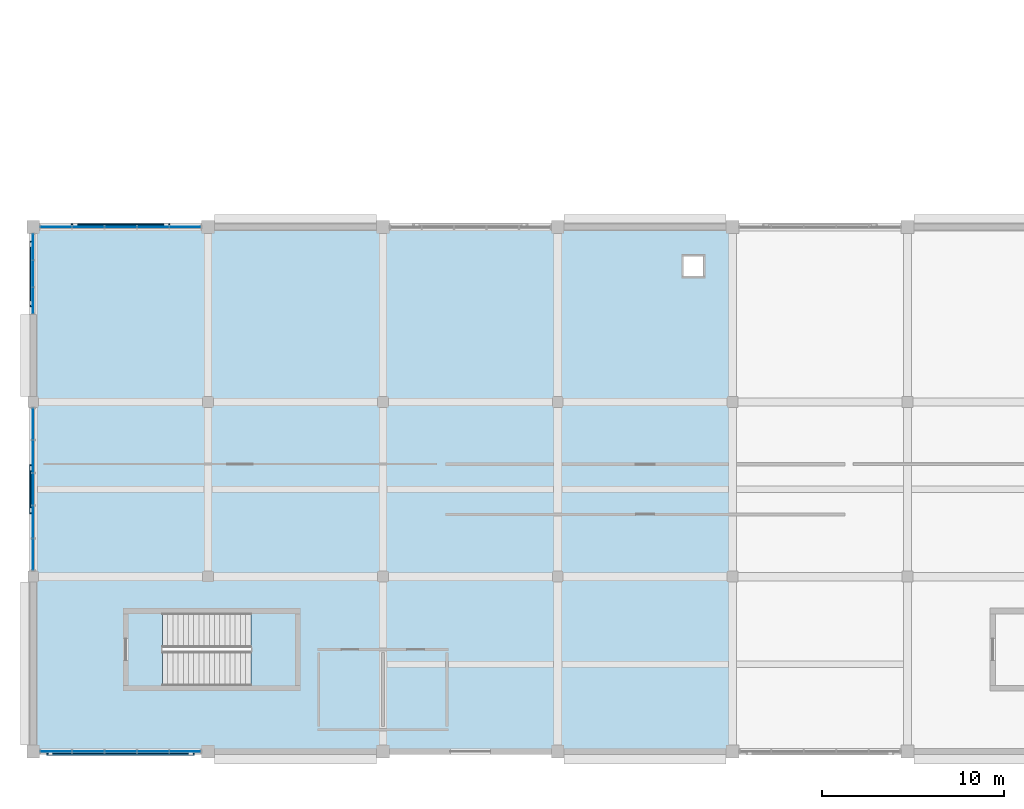
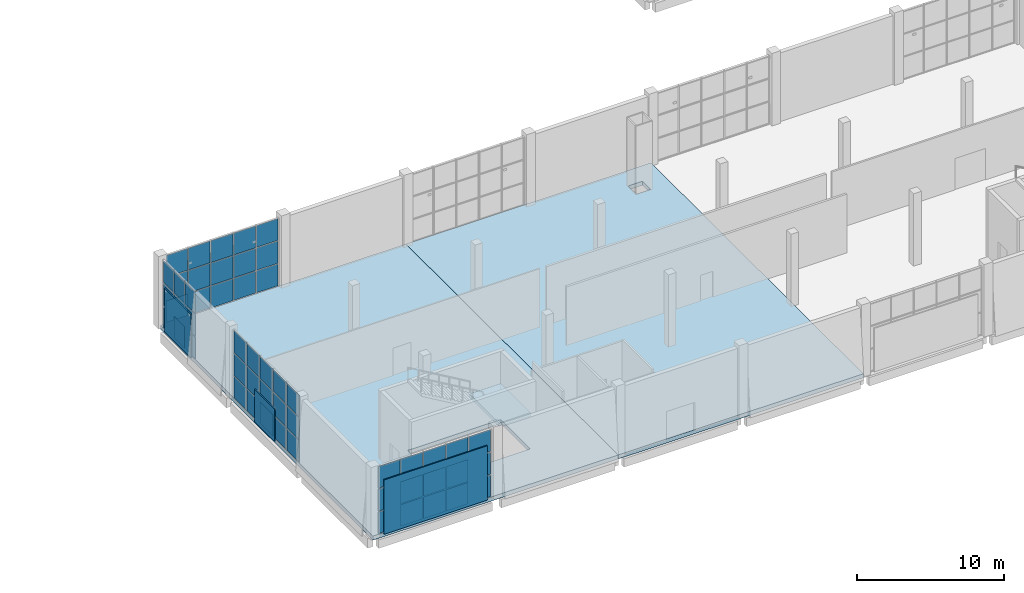
# One storey, part 39 of 84: 58 plates, 3 slabs, 5 elements without a shape of their own.
"""IFC4 building model written with IfcOpenShell, lengths in metres."""

import ifcopenshell
import ifcopenshell.guid

model = None  # the IFC model being written
_history = None  # IfcOwnerHistory: only IFC2X3 demands one
_inside = {}  # id of a spatial element -> (the spatial element, [elements in it])
_under = {}  # id of a project, library or spatial element -> (it, [spatial elements below it])
_declared = {}  # id of a project -> (the project, [libraries it declares])
_typed = {}  # id of a type object -> (the type object, [elements of that type])
_made_of = {}  # id of a material, layer set ... -> (it, [elements and type objects made of it])


def new_model(schema):
    """Start an empty IFC model of exactly this schema.

    Asked for "IFC4X3", IfcOpenShell would pick the latest addendum, in which some entities
    have other attributes; the version numbers below select the first issue.
    IFC2X3 requires an IfcOwnerHistory on every rooted entity: one is made here for all.
    """
    global model, _history
    if schema == "IFC4X3":
        model = ifcopenshell.file(schema_version=(4, 3, 0, 0))
    else:
        model = ifcopenshell.file(schema=schema)
    _inside.clear()
    _under.clear()
    _declared.clear()
    _typed.clear()
    _made_of.clear()
    _history = None
    if model.schema == "IFC2X3":
        org = make("IfcOrganization", Name="unknown")
        user = make(
            "IfcPersonAndOrganization",
            ThePerson=make("IfcPerson", FamilyName="unknown"),
            TheOrganization=org,
        )
        app = make(
            "IfcApplication",
            ApplicationDeveloper=org,
            Version="unknown",
            ApplicationFullName="unknown",
            ApplicationIdentifier="unknown",
        )
        _history = make(
            "IfcOwnerHistory",
            OwningUser=user,
            OwningApplication=app,
            ChangeAction="ADDED",
            CreationDate=0,
        )
    return model


def make(cls, **values):
    """One entity of the class cls with the attributes given. An attribute that is None is left unset."""
    return model.create_entity(
        cls, **{name: value for name, value in values.items() if value is not None}
    )


def rooted(cls, **values):
    """An entity with a GlobalId (a new one), such as an element, a storey or a relation."""
    return make(cls, GlobalId=ifcopenshell.guid.new(), OwnerHistory=_history, **values)


def si_unit(unit_type, name, prefix=None):
    """IfcSIUnit, for example si_unit("LENGTHUNIT", "METRE", prefix="MILLI")."""
    return make("IfcSIUnit", UnitType=unit_type, Prefix=prefix, Name=name)


def assignment(units):
    """IfcUnitAssignment: the units of a project."""
    return None if units is None else make("IfcUnitAssignment", Units=units)


def point(xyz):
    """IfcCartesianPoint."""
    return None if xyz is None else make("IfcCartesianPoint", Coordinates=xyz)


def direction(xyz):
    """IfcDirection."""
    return None if xyz is None else make("IfcDirection", DirectionRatios=xyz)


def frame(location, z_axis=None, x_axis=None):
    """IfcAxis2Placement3D, a coordinate frame: its origin and axes. An axis left out is left unset."""
    return make(
        "IfcAxis2Placement3D",
        Location=point(location),
        Axis=direction(z_axis),
        RefDirection=direction(x_axis),
    )


def frame_2d(location, x_axis=None):
    """IfcAxis2Placement2D, a coordinate frame in the plane: its origin and x axis."""
    return make(
        "IfcAxis2Placement2D", Location=point(location), RefDirection=direction(x_axis)
    )


def origin():
    """The frame at (0, 0, 0) with its axes left unset."""
    return frame((0.0, 0.0, 0.0))


def origin_2d():
    """The frame at (0, 0) in the plane with its x axis left unset."""
    return frame_2d((0.0, 0.0))


def place(relative_to, where):
    """IfcLocalPlacement: puts the frame where relative to a parent placement (None: the world)."""
    return make(
        "IfcLocalPlacement", PlacementRelTo=relative_to, RelativePlacement=where
    )


def context(
    kind, dimensions, precision=None, world=None, true_north=None, identifier=None
):
    """IfcGeometricRepresentationContext, for example the 3D "Model" context."""
    return make(
        "IfcGeometricRepresentationContext",
        ContextIdentifier=identifier,
        ContextType=kind,
        CoordinateSpaceDimension=dimensions,
        Precision=precision,
        WorldCoordinateSystem=world,
        TrueNorth=true_north,
    )


def subcontext(parent, identifier, kind, view, scale=None):
    """IfcGeometricRepresentationSubContext, for example "Body" below "Model"."""
    return make(
        "IfcGeometricRepresentationSubContext",
        ContextIdentifier=identifier,
        ContextType=kind,
        ParentContext=parent,
        TargetScale=scale,
        TargetView=view,
    )


def project(units=None, contexts=None):
    """IfcProject with its units and contexts."""
    return rooted(
        "IfcProject",
        Name="project",
        RepresentationContexts=contexts,
        UnitsInContext=assignment(units),
    )


def spatial(cls, under=None, at=None, **own):
    """A site, building, storey or space (cls), placed at a placement, below another one or the project."""
    s = rooted(cls, ObjectPlacement=at, **own)
    if under is not None:
        _under.setdefault(under.id(), (under, []))[1].append(s)
    return s


def polyline(points):
    """IfcPolyline through the points."""
    return make("IfcPolyline", Points=[point(p) for p in points])


def profile(cls, at=None, kind="AREA", **sizes):
    """A parametric profile (cls). Its sizes go by their IFC names, for example OverallWidth=200.0."""
    return make(cls, ProfileType=kind, Position=at, **sizes)


def rectangle(**sizes):
    """IfcRectangleProfileDef."""
    return profile("IfcRectangleProfileDef", **sizes)


def outline(outer, holes=None, kind="AREA"):
    """IfcArbitraryClosedProfileDef: a profile drawn as a closed curve; with holes, ...WithVoids."""
    if holes is None:
        return make("IfcArbitraryClosedProfileDef", ProfileType=kind, OuterCurve=outer)
    return make(
        "IfcArbitraryProfileDefWithVoids",
        ProfileType=kind,
        OuterCurve=outer,
        InnerCurves=holes,
    )


def extrude(swept, where, along, depth):
    """IfcExtrudedAreaSolid: the profile swept, set in the frame where, extruded along a direction by depth."""
    return make(
        "IfcExtrudedAreaSolid",
        SweptArea=swept,
        Position=where,
        ExtrudedDirection=direction(along),
        Depth=depth,
    )


def shape(context_of_items, identifier, shape_type, items):
    """IfcShapeRepresentation: the items that make up one representation, for example the "Body"."""
    return make(
        "IfcShapeRepresentation",
        ContextOfItems=context_of_items,
        RepresentationIdentifier=identifier,
        RepresentationType=shape_type,
        Items=items,
    )


def material(Name=None, Category=None):
    """IfcMaterial."""
    return make("IfcMaterial", Name=Name, Category=Category)


def layer(
    of_material, thickness, ventilated=None, Name=None, Category=None, Priority=None
):
    """IfcMaterialLayer: one layer of a wall or slab, of a material (None: an air gap)."""
    return make(
        "IfcMaterialLayer",
        Material=of_material,
        LayerThickness=thickness,
        IsVentilated=ventilated,
        Name=Name,
        Category=Category,
        Priority=Priority,
    )


def layer_set(layers, Name=None):
    """IfcMaterialLayerSet."""
    return make("IfcMaterialLayerSet", MaterialLayers=layers, LayerSetName=Name)


def made_of(thing, what):
    """Note that an element or type object is made of a material, layer set ...; save() writes the relation."""
    if what is not None:
        _made_of.setdefault(what.id(), (what, []))[1].append(thing)
    return thing


def type_object(cls, material=None, **own):
    """A type object (cls), such as IfcWallType, which elements share."""
    return made_of(rooted(cls, **own), material)


def element(
    cls,
    number,
    at=None,
    inside=None,
    cuts=None,
    type_object=None,
    material=None,
    context=None,
    identifier="Body",
    shape_type=None,
    held_by="IfcProductDefinitionShape",
    body=None,
    shapes=None,
    **own,
):
    """One element of the class cls, such as IfcWall. Its Tag is "e" and its number.

    at: its placement. inside: the storey or other place that contains it. cuts: it is an
    opening in that element (IfcRelVoidsElement). A single representation is given by context,
    identifier, shape_type and body (its items); several are given by shapes. held_by: the class
    of the entity that holds the representations. save() writes the other relations.
    """
    e = rooted(cls, Tag="e%d" % number, ObjectPlacement=at, **own)
    if body is not None:
        shapes = [shape(context, identifier, shape_type, body)]
    if shapes is not None:
        e.Representation = make(held_by, Representations=shapes)
    if inside is not None:
        _inside.setdefault(inside.id(), (inside, []))[1].append(e)
    if cuts is not None:
        rooted(
            "IfcRelVoidsElement", RelatingBuildingElement=cuts, RelatedOpeningElement=e
        )
    if type_object is not None:
        _typed.setdefault(type_object.id(), (type_object, []))[1].append(e)
    return made_of(e, material)


def aggregate(whole, parts):
    """IfcRelAggregates: a whole, such as a stair, and the parts it consists of."""
    return rooted("IfcRelAggregates", RelatingObject=whole, RelatedObjects=parts)


def save(model, path):
    """Write the relations noted so far, then the file.

    IfcRelAggregates (storeys below a building ...), IfcRelContainedInSpatialStructure (elements
    in a storey), IfcRelDefinesByType, IfcRelAssociatesMaterial and IfcRelDeclares: one each for
    every whole, place, type object, material and project.
    """
    for whole, parts in _under.values():
        aggregate(whole, parts)
    for where, things in _inside.values():
        rooted(
            "IfcRelContainedInSpatialStructure",
            RelatedElements=things,
            RelatingStructure=where,
        )
    for kind, things in _typed.values():
        rooted("IfcRelDefinesByType", RelatedObjects=things, RelatingType=kind)
    for what, things in _made_of.values():
        rooted("IfcRelAssociatesMaterial", RelatedObjects=things, RelatingMaterial=what)
    for by, libraries in _declared.values():
        rooted("IfcRelDeclares", RelatingContext=by, RelatedDefinitions=libraries)
    model.write(path)


model = new_model("IFC4")

# Units and contexts
model_context = context("Model", 3, precision=1e-05, world=origin(), true_north=direction((0.0, 1.0)))
body_context = subcontext(model_context, "Body", "Model", "MODEL_VIEW")
ifc_project = project(units=[si_unit("LENGTHUNIT", "METRE"), si_unit("AREAUNIT", "SQUARE_METRE"), si_unit("VOLUMEUNIT", "CUBIC_METRE"), si_unit("PLANEANGLEUNIT", "RADIAN"), si_unit("MASSUNIT", "GRAM", prefix="KILO")], contexts=[model_context])

# Site, building, storey
site_placement = place(None, origin())
site = spatial("IfcSite", under=ifc_project, at=site_placement, CompositionType="ELEMENT")
building_placement = place(site_placement, origin())
building = spatial("IfcBuilding", under=site, at=building_placement, Name="Shalvenor Court Art Gallery", CompositionType="ELEMENT")
storey_placement = place(building_placement, origin())
storey = spatial("IfcBuildingStorey", under=building, at=storey_placement, Name="L00", CompositionType="ELEMENT", Elevation=0.0)

# Curtain wall, plates
ifc_material_1 = material(Name="Anodised aluminium and low-iron glass curtain wall", Category="aluminium")
curtain_wall_type_1 = type_object("IfcCurtainWallType", Name="CW-5x3-89-57-211", PredefinedType="USERDEFINED", material=ifc_material_1)
curtain_wall_1_placement = place(storey_placement, origin())
curtain_wall_1 = element("IfcCurtainWall", 1, at=curtain_wall_1_placement, inside=storey, type_object=curtain_wall_type_1, Name="L00 V4 Curtain Wall CW-L00-117", ObjectType="CURTAIN WALL", PredefinedType="USERDEFINED")
ifc_material_2 = material(Name="Low-iron UV-laminated double glazing IGU", Category="glass")
ifc_layer_1 = layer(ifc_material_2, 0.028076171875, Name="Low-iron UV-laminated double glazing IGU")
ifc_layer_set_1 = layer_set([ifc_layer_1], Name="Low-iron UV-laminated double glazing IGU")
plate_type_1 = type_object("IfcPlateType", Name="CWP-01", PredefinedType="CURTAIN_PANEL", material=ifc_layer_set_1)
plate_1_placement = place(storey_placement, frame((1.257568359375, 28.800048828125, 0.06005859375), z_axis=(0.0, 0.0, 1.0), x_axis=(1.0, 0.0, 0.0)))
plate_1 = element("IfcPlate", 2, at=plate_1_placement, type_object=plate_type_1, Name="CW-5x3-89-57-211 panel 1.1", PredefinedType="CURTAIN_PANEL", context=body_context, shape_type="SweptSolid", body=[
    extrude(rectangle(XDim=1.675048828125, YDim=0.028076171875, at=origin_2d()), origin(), (0.0, 0.0, 1.0), 1.80322265625),
])
plate_2_placement = place(storey_placement, frame((1.257568359375, 28.800048828125, 1.92333984375), z_axis=(0.0, 0.0, 1.0), x_axis=(1.0, 0.0, 0.0)))
plate_2 = element("IfcPlate", 3, at=plate_2_placement, type_object=plate_type_1, Name="CW-5x3-89-57-211 panel 1.2", PredefinedType="CURTAIN_PANEL", context=body_context, shape_type="SweptSolid", body=[
    extrude(rectangle(XDim=1.675048828125, YDim=0.028076171875, at=origin_2d()), origin(), (0.0, 0.0, 1.0), 1.833251953125),
])
plate_3_placement = place(storey_placement, frame((1.257568359375, 28.800048828125, 3.816650390625), z_axis=(0.0, 0.0, 1.0), x_axis=(1.0, 0.0, 0.0)))
plate_3 = element("IfcPlate", 4, at=plate_3_placement, type_object=plate_type_1, Name="CW-5x3-89-57-211 panel 1.3", PredefinedType="CURTAIN_PANEL", context=body_context, shape_type="SweptSolid", body=[
    extrude(rectangle(XDim=1.675048828125, YDim=0.028076171875, at=origin_2d()), origin(), (0.0, 0.0, 1.0), 1.80322265625),
])
plate_4_placement = place(storey_placement, frame((3.02001953125, 28.800048828125, 0.06005859375), z_axis=(0.0, 0.0, 1.0), x_axis=(1.0, 0.0, 0.0)))
plate_4 = element("IfcPlate", 5, at=plate_4_placement, type_object=plate_type_1, Name="CW-5x3-89-57-211 panel 2.1", PredefinedType="CURTAIN_PANEL", context=body_context, shape_type="SweptSolid", body=[
    extrude(rectangle(XDim=1.7099609375, YDim=0.028076171875, at=origin_2d()), origin(), (0.0, 0.0, 1.0), 1.80322265625),
])
plate_5_placement = place(storey_placement, frame((3.02001953125, 28.800048828125, 1.92333984375), z_axis=(0.0, 0.0, 1.0), x_axis=(1.0, 0.0, 0.0)))
plate_5 = element("IfcPlate", 6, at=plate_5_placement, type_object=plate_type_1, Name="CW-5x3-89-57-211 panel 2.2", PredefinedType="CURTAIN_PANEL", context=body_context, shape_type="SweptSolid", body=[
    extrude(rectangle(XDim=1.7099609375, YDim=0.028076171875, at=origin_2d()), origin(), (0.0, 0.0, 1.0), 1.833251953125),
])
plate_6_placement = place(storey_placement, frame((3.02001953125, 28.800048828125, 3.816650390625), z_axis=(0.0, 0.0, 1.0), x_axis=(1.0, 0.0, 0.0)))
plate_6 = element("IfcPlate", 7, at=plate_6_placement, type_object=plate_type_1, Name="CW-5x3-89-57-211 panel 2.3", PredefinedType="CURTAIN_PANEL", context=body_context, shape_type="SweptSolid", body=[
    extrude(rectangle(XDim=1.7099609375, YDim=0.028076171875, at=origin_2d()), origin(), (0.0, 0.0, 1.0), 1.80322265625),
])
plate_7_placement = place(storey_placement, frame((4.800048828125, 28.800048828125, 0.06005859375), z_axis=(0.0, 0.0, 1.0), x_axis=(1.0, 0.0, 0.0)))
plate_7 = element("IfcPlate", 8, at=plate_7_placement, type_object=plate_type_1, Name="CW-5x3-89-57-211 panel 3.1", PredefinedType="CURTAIN_PANEL", context=body_context, shape_type="SweptSolid", body=[
    extrude(rectangle(XDim=1.7099609375, YDim=0.028076171875, at=origin_2d()), origin(), (0.0, 0.0, 1.0), 1.80322265625),
])
plate_8_placement = place(storey_placement, frame((4.800048828125, 28.800048828125, 1.92333984375), z_axis=(0.0, 0.0, 1.0), x_axis=(1.0, 0.0, 0.0)))
plate_8 = element("IfcPlate", 9, at=plate_8_placement, type_object=plate_type_1, Name="CW-5x3-89-57-211 panel 3.2", PredefinedType="CURTAIN_PANEL", context=body_context, shape_type="SweptSolid", body=[
    extrude(rectangle(XDim=1.7099609375, YDim=0.028076171875, at=origin_2d()), origin(), (0.0, 0.0, 1.0), 1.833251953125),
])
plate_9_placement = place(storey_placement, frame((4.800048828125, 28.800048828125, 3.816650390625), z_axis=(0.0, 0.0, 1.0), x_axis=(1.0, 0.0, 0.0)))
plate_9 = element("IfcPlate", 10, at=plate_9_placement, type_object=plate_type_1, Name="CW-5x3-89-57-211 panel 3.3", PredefinedType="CURTAIN_PANEL", context=body_context, shape_type="SweptSolid", body=[
    extrude(rectangle(XDim=1.7099609375, YDim=0.028076171875, at=origin_2d()), origin(), (0.0, 0.0, 1.0), 1.80322265625),
])
plate_10_placement = place(storey_placement, frame((6.580078125, 28.800048828125, 0.06005859375), z_axis=(0.0, 0.0, 1.0), x_axis=(1.0, 0.0, 0.0)))
plate_10 = element("IfcPlate", 11, at=plate_10_placement, type_object=plate_type_1, Name="CW-5x3-89-57-211 panel 4.1", PredefinedType="CURTAIN_PANEL", context=body_context, shape_type="SweptSolid", body=[
    extrude(rectangle(XDim=1.7099609375, YDim=0.028076171875, at=origin_2d()), origin(), (0.0, 0.0, 1.0), 1.80322265625),
])
plate_11_placement = place(storey_placement, frame((6.580078125, 28.800048828125, 1.92333984375), z_axis=(0.0, 0.0, 1.0), x_axis=(1.0, 0.0, 0.0)))
plate_11 = element("IfcPlate", 12, at=plate_11_placement, type_object=plate_type_1, Name="CW-5x3-89-57-211 panel 4.2", PredefinedType="CURTAIN_PANEL", context=body_context, shape_type="SweptSolid", body=[
    extrude(rectangle(XDim=1.7099609375, YDim=0.028076171875, at=origin_2d()), origin(), (0.0, 0.0, 1.0), 1.833251953125),
])
plate_12_placement = place(storey_placement, frame((6.580078125, 28.800048828125, 3.816650390625), z_axis=(0.0, 0.0, 1.0), x_axis=(1.0, 0.0, 0.0)))
plate_12 = element("IfcPlate", 13, at=plate_12_placement, type_object=plate_type_1, Name="CW-5x3-89-57-211 panel 4.3", PredefinedType="CURTAIN_PANEL", context=body_context, shape_type="SweptSolid", body=[
    extrude(rectangle(XDim=1.7099609375, YDim=0.028076171875, at=origin_2d()), origin(), (0.0, 0.0, 1.0), 1.80322265625),
])
plate_13_placement = place(storey_placement, frame((8.342529296875, 28.800048828125, 0.06005859375), z_axis=(0.0, 0.0, 1.0), x_axis=(1.0, 0.0, 0.0)))
plate_13 = element("IfcPlate", 14, at=plate_13_placement, type_object=plate_type_1, Name="CW-5x3-89-57-211 panel 5.1", PredefinedType="CURTAIN_PANEL", context=body_context, shape_type="SweptSolid", body=[
    extrude(rectangle(XDim=1.675048828125, YDim=0.028076171875, at=origin_2d()), origin(), (0.0, 0.0, 1.0), 1.80322265625),
])
plate_14_placement = place(storey_placement, frame((8.342529296875, 28.800048828125, 1.92333984375), z_axis=(0.0, 0.0, 1.0), x_axis=(1.0, 0.0, 0.0)))
plate_14 = element("IfcPlate", 15, at=plate_14_placement, type_object=plate_type_1, Name="CW-5x3-89-57-211 panel 5.2", PredefinedType="CURTAIN_PANEL", context=body_context, shape_type="SweptSolid", body=[
    extrude(rectangle(XDim=1.675048828125, YDim=0.028076171875, at=origin_2d()), origin(), (0.0, 0.0, 1.0), 1.833251953125),
])
plate_15_placement = place(storey_placement, frame((8.342529296875, 28.800048828125, 3.816650390625), z_axis=(0.0, 0.0, 1.0), x_axis=(1.0, 0.0, 0.0)))
plate_15 = element("IfcPlate", 16, at=plate_15_placement, type_object=plate_type_1, Name="CW-5x3-89-57-211 panel 5.3", PredefinedType="CURTAIN_PANEL", context=body_context, shape_type="SweptSolid", body=[
    extrude(rectangle(XDim=1.675048828125, YDim=0.028076171875, at=origin_2d()), origin(), (0.0, 0.0, 1.0), 1.80322265625),
])
aggregate(curtain_wall_1, [plate_1, plate_2, plate_3, plate_4, plate_5, plate_6, plate_7, plate_8, plate_9, plate_10, plate_11, plate_12, plate_13, plate_14, plate_15])

ifc_material_3 = material(Name="Anodised aluminium and low-iron glass curtain wall", Category="aluminium")
curtain_wall_type_2 = type_object("IfcCurtainWallType", Name="CW-5x3-89-57-241", PredefinedType="USERDEFINED", material=ifc_material_3)
curtain_wall_2_placement = place(storey_placement, origin())
curtain_wall_2 = element("IfcCurtainWall", 17, at=curtain_wall_2_placement, inside=storey, type_object=curtain_wall_type_2, Name="L00 V4 Curtain Wall CW-L00-125", ObjectType="CURTAIN WALL", PredefinedType="USERDEFINED")
plate_16_placement = place(storey_placement, frame((8.342529296875, 0.0, 0.06982421875), z_axis=(0.0, 0.0, 1.0), x_axis=(-1.0, 0.0, 0.0)))
plate_16 = element("IfcPlate", 18, at=plate_16_placement, type_object=plate_type_1, Name="CW-5x3-89-57-241 panel 1.1", PredefinedType="CURTAIN_PANEL", context=body_context, shape_type="SweptSolid", body=[
    extrude(rectangle(XDim=1.675048828125, YDim=0.028076171875, at=origin_2d()), origin(), (0.0, 0.0, 1.0), 1.788330078125),
])
plate_17_placement = place(storey_placement, frame((8.342529296875, 0.0, 1.928466796875), z_axis=(0.0, 0.0, 1.0), x_axis=(-1.0, 0.0, 0.0)))
plate_17 = element("IfcPlate", 19, at=plate_17_placement, type_object=plate_type_1, Name="CW-5x3-89-57-241 panel 1.2", PredefinedType="CURTAIN_PANEL", context=body_context, shape_type="SweptSolid", body=[
    extrude(rectangle(XDim=1.675048828125, YDim=0.028076171875, at=origin_2d()), origin(), (0.0, 0.0, 1.0), 1.8232421875),
])
plate_18_placement = place(storey_placement, frame((8.342529296875, 0.0, 3.82177734375), z_axis=(0.0, 0.0, 1.0), x_axis=(-1.0, 0.0, 0.0)))
plate_18 = element("IfcPlate", 20, at=plate_18_placement, type_object=plate_type_1, Name="CW-5x3-89-57-241 panel 1.3", PredefinedType="CURTAIN_PANEL", context=body_context, shape_type="SweptSolid", body=[
    extrude(rectangle(XDim=1.675048828125, YDim=0.028076171875, at=origin_2d()), origin(), (0.0, 0.0, 1.0), 1.788330078125),
])
plate_19_placement = place(storey_placement, frame((6.580078125, 0.0, 0.06982421875), z_axis=(0.0, 0.0, 1.0), x_axis=(-1.0, 0.0, 0.0)))
plate_19 = element("IfcPlate", 21, at=plate_19_placement, type_object=plate_type_1, Name="CW-5x3-89-57-241 panel 2.1", PredefinedType="CURTAIN_PANEL", context=body_context, shape_type="SweptSolid", body=[
    extrude(rectangle(XDim=1.7099609375, YDim=0.028076171875, at=origin_2d()), origin(), (0.0, 0.0, 1.0), 1.788330078125),
])
plate_20_placement = place(storey_placement, frame((6.580078125, 0.0, 1.928466796875), z_axis=(0.0, 0.0, 1.0), x_axis=(-1.0, 0.0, 0.0)))
plate_20 = element("IfcPlate", 22, at=plate_20_placement, type_object=plate_type_1, Name="CW-5x3-89-57-241 panel 2.2", PredefinedType="CURTAIN_PANEL", context=body_context, shape_type="SweptSolid", body=[
    extrude(rectangle(XDim=1.7099609375, YDim=0.028076171875, at=origin_2d()), origin(), (0.0, 0.0, 1.0), 1.8232421875),
])
plate_21_placement = place(storey_placement, frame((6.580078125, 0.0, 3.82177734375), z_axis=(0.0, 0.0, 1.0), x_axis=(-1.0, 0.0, 0.0)))
plate_21 = element("IfcPlate", 23, at=plate_21_placement, type_object=plate_type_1, Name="CW-5x3-89-57-241 panel 2.3", PredefinedType="CURTAIN_PANEL", context=body_context, shape_type="SweptSolid", body=[
    extrude(rectangle(XDim=1.7099609375, YDim=0.028076171875, at=origin_2d()), origin(), (0.0, 0.0, 1.0), 1.788330078125),
])
plate_22_placement = place(storey_placement, frame((4.800048828125, 0.0, 0.06982421875), z_axis=(0.0, 0.0, 1.0), x_axis=(-1.0, 0.0, 0.0)))
plate_22 = element("IfcPlate", 24, at=plate_22_placement, type_object=plate_type_1, Name="CW-5x3-89-57-241 panel 3.1", PredefinedType="CURTAIN_PANEL", context=body_context, shape_type="SweptSolid", body=[
    extrude(rectangle(XDim=1.7099609375, YDim=0.028076171875, at=origin_2d()), origin(), (0.0, 0.0, 1.0), 1.788330078125),
])
plate_23_placement = place(storey_placement, frame((4.800048828125, 0.0, 1.928466796875), z_axis=(0.0, 0.0, 1.0), x_axis=(-1.0, 0.0, 0.0)))
plate_23 = element("IfcPlate", 25, at=plate_23_placement, type_object=plate_type_1, Name="CW-5x3-89-57-241 panel 3.2", PredefinedType="CURTAIN_PANEL", context=body_context, shape_type="SweptSolid", body=[
    extrude(rectangle(XDim=1.7099609375, YDim=0.028076171875, at=origin_2d()), origin(), (0.0, 0.0, 1.0), 1.8232421875),
])
plate_24_placement = place(storey_placement, frame((4.800048828125, 0.0, 3.82177734375), z_axis=(0.0, 0.0, 1.0), x_axis=(-1.0, 0.0, 0.0)))
plate_24 = element("IfcPlate", 26, at=plate_24_placement, type_object=plate_type_1, Name="CW-5x3-89-57-241 panel 3.3", PredefinedType="CURTAIN_PANEL", context=body_context, shape_type="SweptSolid", body=[
    extrude(rectangle(XDim=1.7099609375, YDim=0.028076171875, at=origin_2d()), origin(), (0.0, 0.0, 1.0), 1.788330078125),
])
plate_25_placement = place(storey_placement, frame((3.02001953125, 0.0, 0.06982421875), z_axis=(0.0, 0.0, 1.0), x_axis=(-1.0, 0.0, 0.0)))
plate_25 = element("IfcPlate", 27, at=plate_25_placement, type_object=plate_type_1, Name="CW-5x3-89-57-241 panel 4.1", PredefinedType="CURTAIN_PANEL", context=body_context, shape_type="SweptSolid", body=[
    extrude(rectangle(XDim=1.7099609375, YDim=0.028076171875, at=origin_2d()), origin(), (0.0, 0.0, 1.0), 1.788330078125),
])
plate_26_placement = place(storey_placement, frame((3.02001953125, 0.0, 1.928466796875), z_axis=(0.0, 0.0, 1.0), x_axis=(-1.0, 0.0, 0.0)))
plate_26 = element("IfcPlate", 28, at=plate_26_placement, type_object=plate_type_1, Name="CW-5x3-89-57-241 panel 4.2", PredefinedType="CURTAIN_PANEL", context=body_context, shape_type="SweptSolid", body=[
    extrude(rectangle(XDim=1.7099609375, YDim=0.028076171875, at=origin_2d()), origin(), (0.0, 0.0, 1.0), 1.8232421875),
])
plate_27_placement = place(storey_placement, frame((3.02001953125, 0.0, 3.82177734375), z_axis=(0.0, 0.0, 1.0), x_axis=(-1.0, 0.0, 0.0)))
plate_27 = element("IfcPlate", 29, at=plate_27_placement, type_object=plate_type_1, Name="CW-5x3-89-57-241 panel 4.3", PredefinedType="CURTAIN_PANEL", context=body_context, shape_type="SweptSolid", body=[
    extrude(rectangle(XDim=1.7099609375, YDim=0.028076171875, at=origin_2d()), origin(), (0.0, 0.0, 1.0), 1.788330078125),
])
plate_28_placement = place(storey_placement, frame((1.257568359375, 0.0, 0.06982421875), z_axis=(0.0, 0.0, 1.0), x_axis=(-1.0, 0.0, 0.0)))
plate_28 = element("IfcPlate", 30, at=plate_28_placement, type_object=plate_type_1, Name="CW-5x3-89-57-241 panel 5.1", PredefinedType="CURTAIN_PANEL", context=body_context, shape_type="SweptSolid", body=[
    extrude(rectangle(XDim=1.675048828125, YDim=0.028076171875, at=origin_2d()), origin(), (0.0, 0.0, 1.0), 1.788330078125),
])
plate_29_placement = place(storey_placement, frame((1.257568359375, 0.0, 1.928466796875), z_axis=(0.0, 0.0, 1.0), x_axis=(-1.0, 0.0, 0.0)))
plate_29 = element("IfcPlate", 31, at=plate_29_placement, type_object=plate_type_1, Name="CW-5x3-89-57-241 panel 5.2", PredefinedType="CURTAIN_PANEL", context=body_context, shape_type="SweptSolid", body=[
    extrude(rectangle(XDim=1.675048828125, YDim=0.028076171875, at=origin_2d()), origin(), (0.0, 0.0, 1.0), 1.8232421875),
])
plate_30_placement = place(storey_placement, frame((1.257568359375, 0.0, 3.82177734375), z_axis=(0.0, 0.0, 1.0), x_axis=(-1.0, 0.0, 0.0)))
plate_30 = element("IfcPlate", 32, at=plate_30_placement, type_object=plate_type_1, Name="CW-5x3-89-57-241 panel 5.3", PredefinedType="CURTAIN_PANEL", context=body_context, shape_type="SweptSolid", body=[
    extrude(rectangle(XDim=1.675048828125, YDim=0.028076171875, at=origin_2d()), origin(), (0.0, 0.0, 1.0), 1.788330078125),
])
aggregate(curtain_wall_2, [plate_16, plate_17, plate_18, plate_19, plate_20, plate_21, plate_22, plate_23, plate_24, plate_25, plate_26, plate_27, plate_28, plate_29, plate_30])

ifc_material_4 = material(Name="Anodised aluminium and low-iron glass curtain wall", Category="aluminium")
curtain_wall_type_3 = type_object("IfcCurtainWallType", Name="CW-5x3-90-57-411", PredefinedType="USERDEFINED", material=ifc_material_4)
curtain_wall_3_placement = place(storey_placement, origin())
curtain_wall_3 = element("IfcCurtainWall", 33, at=curtain_wall_3_placement, inside=storey, type_object=curtain_wall_type_3, Name="L00 V4 Curtain Wall CW-L00-126", ObjectType="CURTAIN WALL", PredefinedType="USERDEFINED")
plate_31_placement = place(storey_placement, frame((0.0, 10.81884765625, 0.06005859375), z_axis=(0.0, 0.0, 1.0), x_axis=(0.0, 1.0, 0.0)))
plate_31 = element("IfcPlate", 34, at=plate_31_placement, type_object=plate_type_1, Name="CW-5x3-90-57-411 panel 1.1", PredefinedType="CURTAIN_PANEL", context=body_context, shape_type="SweptSolid", body=[
    extrude(rectangle(XDim=1.6875, YDim=0.028076171875, at=origin_2d()), origin(), (0.0, 0.0, 1.0), 1.80322265625),
])
plate_32_placement = place(storey_placement, frame((0.0, 10.81884765625, 1.92333984375), z_axis=(0.0, 0.0, 1.0), x_axis=(0.0, 1.0, 0.0)))
plate_32 = element("IfcPlate", 35, at=plate_32_placement, type_object=plate_type_1, Name="CW-5x3-90-57-411 panel 1.2", PredefinedType="CURTAIN_PANEL", context=body_context, shape_type="SweptSolid", body=[
    extrude(rectangle(XDim=1.6875, YDim=0.028076171875, at=origin_2d()), origin(), (0.0, 0.0, 1.0), 1.833251953125),
])
plate_33_placement = place(storey_placement, frame((0.0, 10.81884765625, 3.816650390625), z_axis=(0.0, 0.0, 1.0), x_axis=(0.0, 1.0, 0.0)))
plate_33 = element("IfcPlate", 36, at=plate_33_placement, type_object=plate_type_1, Name="CW-5x3-90-57-411 panel 1.3", PredefinedType="CURTAIN_PANEL", context=body_context, shape_type="SweptSolid", body=[
    extrude(rectangle(XDim=1.6875, YDim=0.028076171875, at=origin_2d()), origin(), (0.0, 0.0, 1.0), 1.80322265625),
])
plate_34_placement = place(storey_placement, frame((0.0, 12.60009765625, 0.06005859375), z_axis=(0.0, 0.0, 1.0), x_axis=(0.0, 1.0, 0.0)))
plate_34 = element("IfcPlate", 37, at=plate_34_placement, type_object=plate_type_1, Name="CW-5x3-90-57-411 panel 2.1", PredefinedType="CURTAIN_PANEL", context=body_context, shape_type="SweptSolid", body=[
    extrude(rectangle(XDim=1.72509765625, YDim=0.028076171875, at=origin_2d()), origin(), (0.0, 0.0, 1.0), 1.80322265625),
])
plate_35_placement = place(storey_placement, frame((0.0, 12.60009765625, 1.92333984375), z_axis=(0.0, 0.0, 1.0), x_axis=(0.0, 1.0, 0.0)))
plate_35 = element("IfcPlate", 38, at=plate_35_placement, type_object=plate_type_1, Name="CW-5x3-90-57-411 panel 2.2", PredefinedType="CURTAIN_PANEL", context=body_context, shape_type="SweptSolid", body=[
    extrude(rectangle(XDim=1.72509765625, YDim=0.028076171875, at=origin_2d()), origin(), (0.0, 0.0, 1.0), 1.833251953125),
])
plate_36_placement = place(storey_placement, frame((0.0, 12.60009765625, 3.816650390625), z_axis=(0.0, 0.0, 1.0), x_axis=(0.0, 1.0, 0.0)))
plate_36 = element("IfcPlate", 39, at=plate_36_placement, type_object=plate_type_1, Name="CW-5x3-90-57-411 panel 2.3", PredefinedType="CURTAIN_PANEL", context=body_context, shape_type="SweptSolid", body=[
    extrude(rectangle(XDim=1.72509765625, YDim=0.028076171875, at=origin_2d()), origin(), (0.0, 0.0, 1.0), 1.80322265625),
])
plate_37_placement = place(storey_placement, frame((0.0, 14.39990234375, 0.06005859375), z_axis=(0.0, 0.0, 1.0), x_axis=(0.0, 1.0, 0.0)))
plate_37 = element("IfcPlate", 40, at=plate_37_placement, type_object=plate_type_1, Name="CW-5x3-90-57-411 panel 3.1", PredefinedType="CURTAIN_PANEL", context=body_context, shape_type="SweptSolid", body=[
    extrude(rectangle(XDim=1.72509765625, YDim=0.028076171875, at=origin_2d()), origin(), (0.0, 0.0, 1.0), 1.80322265625),
])
plate_38_placement = place(storey_placement, frame((0.0, 14.39990234375, 1.92333984375), z_axis=(0.0, 0.0, 1.0), x_axis=(0.0, 1.0, 0.0)))
plate_38 = element("IfcPlate", 41, at=plate_38_placement, type_object=plate_type_1, Name="CW-5x3-90-57-411 panel 3.2", PredefinedType="CURTAIN_PANEL", context=body_context, shape_type="SweptSolid", body=[
    extrude(rectangle(XDim=1.72509765625, YDim=0.028076171875, at=origin_2d()), origin(), (0.0, 0.0, 1.0), 1.833251953125),
])
plate_39_placement = place(storey_placement, frame((0.0, 14.39990234375, 3.816650390625), z_axis=(0.0, 0.0, 1.0), x_axis=(0.0, 1.0, 0.0)))
plate_39 = element("IfcPlate", 42, at=plate_39_placement, type_object=plate_type_1, Name="CW-5x3-90-57-411 panel 3.3", PredefinedType="CURTAIN_PANEL", context=body_context, shape_type="SweptSolid", body=[
    extrude(rectangle(XDim=1.72509765625, YDim=0.028076171875, at=origin_2d()), origin(), (0.0, 0.0, 1.0), 1.80322265625),
])
plate_40_placement = place(storey_placement, frame((0.0, 16.199951171875, 0.06005859375), z_axis=(0.0, 0.0, 1.0), x_axis=(0.0, 1.0, 0.0)))
plate_40 = element("IfcPlate", 43, at=plate_40_placement, type_object=plate_type_1, Name="CW-5x3-90-57-411 panel 4.1", PredefinedType="CURTAIN_PANEL", context=body_context, shape_type="SweptSolid", body=[
    extrude(rectangle(XDim=1.72509765625, YDim=0.028076171875, at=origin_2d()), origin(), (0.0, 0.0, 1.0), 1.80322265625),
])
plate_41_placement = place(storey_placement, frame((0.0, 16.199951171875, 1.92333984375), z_axis=(0.0, 0.0, 1.0), x_axis=(0.0, 1.0, 0.0)))
plate_41 = element("IfcPlate", 44, at=plate_41_placement, type_object=plate_type_1, Name="CW-5x3-90-57-411 panel 4.2", PredefinedType="CURTAIN_PANEL", context=body_context, shape_type="SweptSolid", body=[
    extrude(rectangle(XDim=1.72509765625, YDim=0.028076171875, at=origin_2d()), origin(), (0.0, 0.0, 1.0), 1.833251953125),
])
plate_42_placement = place(storey_placement, frame((0.0, 16.199951171875, 3.816650390625), z_axis=(0.0, 0.0, 1.0), x_axis=(0.0, 1.0, 0.0)))
plate_42 = element("IfcPlate", 45, at=plate_42_placement, type_object=plate_type_1, Name="CW-5x3-90-57-411 panel 4.3", PredefinedType="CURTAIN_PANEL", context=body_context, shape_type="SweptSolid", body=[
    extrude(rectangle(XDim=1.72509765625, YDim=0.028076171875, at=origin_2d()), origin(), (0.0, 0.0, 1.0), 1.80322265625),
])
plate_43_placement = place(storey_placement, frame((0.0, 17.981201171875, 0.06005859375), z_axis=(0.0, 0.0, 1.0), x_axis=(0.0, 1.0, 0.0)))
plate_43 = element("IfcPlate", 46, at=plate_43_placement, type_object=plate_type_1, Name="CW-5x3-90-57-411 panel 5.1", PredefinedType="CURTAIN_PANEL", context=body_context, shape_type="SweptSolid", body=[
    extrude(rectangle(XDim=1.6875, YDim=0.028076171875, at=origin_2d()), origin(), (0.0, 0.0, 1.0), 1.80322265625),
])
plate_44_placement = place(storey_placement, frame((0.0, 17.981201171875, 1.92333984375), z_axis=(0.0, 0.0, 1.0), x_axis=(0.0, 1.0, 0.0)))
plate_44 = element("IfcPlate", 47, at=plate_44_placement, type_object=plate_type_1, Name="CW-5x3-90-57-411 panel 5.2", PredefinedType="CURTAIN_PANEL", context=body_context, shape_type="SweptSolid", body=[
    extrude(rectangle(XDim=1.6875, YDim=0.028076171875, at=origin_2d()), origin(), (0.0, 0.0, 1.0), 1.833251953125),
])
plate_45_placement = place(storey_placement, frame((0.0, 17.981201171875, 3.816650390625), z_axis=(0.0, 0.0, 1.0), x_axis=(0.0, 1.0, 0.0)))
plate_45 = element("IfcPlate", 48, at=plate_45_placement, type_object=plate_type_1, Name="CW-5x3-90-57-411 panel 5.3", PredefinedType="CURTAIN_PANEL", context=body_context, shape_type="SweptSolid", body=[
    extrude(rectangle(XDim=1.6875, YDim=0.028076171875, at=origin_2d()), origin(), (0.0, 0.0, 1.0), 1.80322265625),
])
aggregate(curtain_wall_3, [plate_31, plate_32, plate_33, plate_34, plate_35, plate_36, plate_37, plate_38, plate_39, plate_40, plate_41, plate_42, plate_43, plate_44, plate_45])

ifc_material_5 = material(Name="Anodised aluminium and low-iron glass curtain wall", Category="aluminium")
curtain_wall_type_4 = type_object("IfcCurtainWallType", Name="CW-3x3-44-57-621", PredefinedType="USERDEFINED", material=ifc_material_5)
curtain_wall_4_placement = place(storey_placement, origin())
curtain_wall_4 = element("IfcCurtainWall", 49, at=curtain_wall_4_placement, inside=storey, type_object=curtain_wall_type_4, Name="L00 V4 Curtain Wall CW-L00-127", ObjectType="CURTAIN WALL", PredefinedType="USERDEFINED")
plate_46_placement = place(storey_placement, frame((0.0, 24.75537109375, 0.06494140625), z_axis=(0.0, 0.0, 1.0), x_axis=(0.0, 1.0, 0.0)))
plate_46 = element("IfcPlate", 50, at=plate_46_placement, type_object=plate_type_1, Name="CW-3x3-44-57-621 panel 1.1", PredefinedType="CURTAIN_PANEL", context=body_context, shape_type="SweptSolid", body=[
    extrude(rectangle(XDim=1.40087890625, YDim=0.028076171875, at=origin_2d()), origin(), (0.0, 0.0, 1.0), 1.7958984375),
])
plate_47_placement = place(storey_placement, frame((0.0, 24.75537109375, 1.92578125), z_axis=(0.0, 0.0, 1.0), x_axis=(0.0, 1.0, 0.0)))
plate_47 = element("IfcPlate", 51, at=plate_47_placement, type_object=plate_type_1, Name="CW-3x3-44-57-621 panel 1.2", PredefinedType="CURTAIN_PANEL", context=body_context, shape_type="SweptSolid", body=[
    extrude(rectangle(XDim=1.40087890625, YDim=0.028076171875, at=origin_2d()), origin(), (0.0, 0.0, 1.0), 1.828369140625),
])
plate_48_placement = place(storey_placement, frame((0.0, 24.75537109375, 3.819091796875), z_axis=(0.0, 0.0, 1.0), x_axis=(0.0, 1.0, 0.0)))
plate_48 = element("IfcPlate", 52, at=plate_48_placement, type_object=plate_type_1, Name="CW-3x3-44-57-621 panel 1.3", PredefinedType="CURTAIN_PANEL", context=body_context, shape_type="SweptSolid", body=[
    extrude(rectangle(XDim=1.40087890625, YDim=0.028076171875, at=origin_2d()), origin(), (0.0, 0.0, 1.0), 1.7958984375),
])
plate_49_placement = place(storey_placement, frame((0.0, 26.22509765625, 0.06494140625), z_axis=(0.0, 0.0, 1.0), x_axis=(0.0, 1.0, 0.0)))
plate_49 = element("IfcPlate", 53, at=plate_49_placement, type_object=plate_type_1, Name="CW-3x3-44-57-621 panel 2.1", PredefinedType="CURTAIN_PANEL", context=body_context, shape_type="SweptSolid", body=[
    extrude(rectangle(XDim=1.42822265625, YDim=0.028076171875, at=origin_2d()), origin(), (0.0, 0.0, 1.0), 1.7958984375),
])
plate_50_placement = place(storey_placement, frame((0.0, 26.22509765625, 1.92578125), z_axis=(0.0, 0.0, 1.0), x_axis=(0.0, 1.0, 0.0)))
plate_50 = element("IfcPlate", 54, at=plate_50_placement, type_object=plate_type_1, Name="CW-3x3-44-57-621 panel 2.2", PredefinedType="CURTAIN_PANEL", context=body_context, shape_type="SweptSolid", body=[
    extrude(rectangle(XDim=1.42822265625, YDim=0.028076171875, at=origin_2d()), origin(), (0.0, 0.0, 1.0), 1.828369140625),
])
plate_51_placement = place(storey_placement, frame((0.0, 26.22509765625, 3.819091796875), z_axis=(0.0, 0.0, 1.0), x_axis=(0.0, 1.0, 0.0)))
plate_51 = element("IfcPlate", 55, at=plate_51_placement, type_object=plate_type_1, Name="CW-3x3-44-57-621 panel 2.3", PredefinedType="CURTAIN_PANEL", context=body_context, shape_type="SweptSolid", body=[
    extrude(rectangle(XDim=1.42822265625, YDim=0.028076171875, at=origin_2d()), origin(), (0.0, 0.0, 1.0), 1.7958984375),
])
plate_52_placement = place(storey_placement, frame((0.0, 27.694580078125, 0.06494140625), z_axis=(0.0, 0.0, 1.0), x_axis=(0.0, 1.0, 0.0)))
plate_52 = element("IfcPlate", 56, at=plate_52_placement, type_object=plate_type_1, Name="CW-3x3-44-57-621 panel 3.1", PredefinedType="CURTAIN_PANEL", context=body_context, shape_type="SweptSolid", body=[
    extrude(rectangle(XDim=1.40087890625, YDim=0.028076171875, at=origin_2d()), origin(), (0.0, 0.0, 1.0), 1.7958984375),
])
plate_53_placement = place(storey_placement, frame((0.0, 27.694580078125, 1.92578125), z_axis=(0.0, 0.0, 1.0), x_axis=(0.0, 1.0, 0.0)))
plate_53 = element("IfcPlate", 57, at=plate_53_placement, type_object=plate_type_1, Name="CW-3x3-44-57-621 panel 3.2", PredefinedType="CURTAIN_PANEL", context=body_context, shape_type="SweptSolid", body=[
    extrude(rectangle(XDim=1.40087890625, YDim=0.028076171875, at=origin_2d()), origin(), (0.0, 0.0, 1.0), 1.828369140625),
])
plate_54_placement = place(storey_placement, frame((0.0, 27.694580078125, 3.819091796875), z_axis=(0.0, 0.0, 1.0), x_axis=(0.0, 1.0, 0.0)))
plate_54 = element("IfcPlate", 58, at=plate_54_placement, type_object=plate_type_1, Name="CW-3x3-44-57-621 panel 3.3", PredefinedType="CURTAIN_PANEL", context=body_context, shape_type="SweptSolid", body=[
    extrude(rectangle(XDim=1.40087890625, YDim=0.028076171875, at=origin_2d()), origin(), (0.0, 0.0, 1.0), 1.7958984375),
])
aggregate(curtain_wall_4, [plate_46, plate_47, plate_48, plate_49, plate_50, plate_51, plate_52, plate_53, plate_54])

# Slabs
ifc_material_6 = material(Name="Concrete C40/50", Category="concrete")
ifc_layer_2 = layer(ifc_material_6, 0.340087890625, Name="Concrete C40/50")
ifc_layer_set_2 = layer_set([ifc_layer_2], Name="Concrete C40/50")
slab_type_1 = type_object("IfcSlabType", Name="FS-340", PredefinedType="FLOOR", material=ifc_layer_set_2)
slab_1_placement = place(storey_placement, frame((0.0, 0.0, -0.340087890625)))
element("IfcSlab", 59, at=slab_1_placement, inside=storey, type_object=slab_type_1, Name="L00 V4 Floor Slab 1", PredefinedType="FLOOR", context=body_context, shape_type="SweptSolid", body=[
    extrude(outline(polyline([(19.199951171875, 28.800048828125), (19.199951171875, 0.0), (0.0, 0.0), (0.0, 28.800048828125), (19.199951171875, 28.800048828125)]), holes=[polyline([(7.111083984375, 3.60009765625), (14.39990234375, 3.60009765625), (14.39990234375, 7.60009765625), (7.111083984375, 7.60009765625), (7.111083984375, 3.60009765625)])]), origin(), (0.0, 0.0, 1.0), 0.340087890625),
])
slab_2_placement = place(storey_placement, frame((0.0, 0.0, -0.340087890625)))
element("IfcSlab", 60, at=slab_2_placement, inside=storey, type_object=slab_type_1, Name="L00 V4 Floor Slab 2", PredefinedType="FLOOR", context=body_context, shape_type="SweptSolid", body=[
    extrude(outline(polyline([(38.39990234375, 28.800048828125), (38.39990234375, 0.0), (19.199951171875, 0.0), (19.199951171875, 28.800048828125), (38.39990234375, 28.800048828125)]), holes=[polyline([(35.699951171875, 26.10009765625), (36.800048828125, 26.10009765625), (36.800048828125, 27.199951171875), (35.699951171875, 27.199951171875), (35.699951171875, 26.10009765625)])]), origin(), (0.0, 0.0, 1.0), 0.340087890625),
])

# Plates
ifc_material_7 = material(Name="Perforated pale limestone GRC lattice", Category="masonry")
ifc_layer_3 = layer(ifc_material_7, 0.090087890625, Name="Perforated pale limestone GRC lattice")
ifc_layer_set_3 = layer_set([ifc_layer_3], Name="Perforated pale limestone GRC lattice")
plate_type_2 = type_object("IfcPlateType", Name="SCR-01", PredefinedType="USERDEFINED", material=ifc_layer_set_3)
plate_55_placement = place(storey_placement, frame((-0.113037109375, 26.22509765625, 0.0), z_axis=(0.0, 0.0, 1.0), x_axis=(0.0, 1.0, 0.0)))
element("IfcPlate", 61, at=plate_55_placement, inside=storey, type_object=plate_type_2, Name="L00 V4 Perforated Stone Lattice Screen PLT-SCR-0112", ObjectType="SCREEN", PredefinedType="USERDEFINED", context=body_context, shape_type="SweptSolid", body=[
    extrude(rectangle(XDim=3.60009765625, YDim=0.090087890625, at=origin_2d()), origin(), (0.0, 0.0, 1.0), 3.60009765625),
])
ifc_material_8 = material(Name="Perforated pale limestone GRC lattice", Category="masonry")
ifc_layer_4 = layer(ifc_material_8, 0.090087890625, Name="Perforated pale limestone GRC lattice")
ifc_layer_set_4 = layer_set([ifc_layer_4], Name="Perforated pale limestone GRC lattice")
plate_type_3 = type_object("IfcPlateType", Name="SCR-04", PredefinedType="USERDEFINED", material=ifc_layer_set_4)
plate_56_placement = place(storey_placement, frame((4.800048828125, 28.943115234375, 0.0), z_axis=(0.0, 0.0, 1.0), x_axis=(1.0, 0.0, 0.0)))
element("IfcPlate", 62, at=plate_56_placement, inside=storey, type_object=plate_type_3, Name="L00 V4 Perforated Stone Lattice Screen PLT-SCR-0102", ObjectType="SCREEN", PredefinedType="USERDEFINED", context=body_context, shape_type="SweptSolid", body=[
    extrude(rectangle(XDim=5.39990234375, YDim=0.090087890625, at=origin_2d()), origin(), (0.0, 0.0, 1.0), 4.5),
])
ifc_material_9 = material(Name="Perforated pale limestone GRC lattice", Category="masonry")
ifc_layer_5 = layer(ifc_material_9, 0.094970703125, Name="Perforated pale limestone GRC lattice")
ifc_layer_set_5 = layer_set([ifc_layer_5], Name="Perforated pale limestone GRC lattice")
plate_type_4 = type_object("IfcPlateType", Name="SCR-12", PredefinedType="USERDEFINED", material=ifc_layer_set_5)
plate_57_placement = place(storey_placement, frame((4.800048828125, -0.1455078125, 0.0), z_axis=(0.0, 0.0, 1.0), x_axis=(-1.0, 0.0, 0.0)))
element("IfcPlate", 63, at=plate_57_placement, inside=storey, type_object=plate_type_4, Name="L00 V4 Perforated Stone Lattice Screen PLT-SCR-0110", ObjectType="SCREEN", PredefinedType="USERDEFINED", context=body_context, shape_type="SweptSolid", body=[
    extrude(rectangle(XDim=8.10009765625, YDim=0.094970703125, at=origin_2d()), origin(), (0.0, 0.0, 1.0), 4.5),
])
ifc_material_10 = material(Name="Perforated pale limestone GRC lattice", Category="masonry")
ifc_layer_6 = layer(ifc_material_10, 0.0849609375, Name="Perforated pale limestone GRC lattice")
ifc_layer_set_6 = layer_set([ifc_layer_6], Name="Perforated pale limestone GRC lattice")
plate_type_5 = type_object("IfcPlateType", Name="SCR-13", PredefinedType="USERDEFINED", material=ifc_layer_set_6)
plate_58_placement = place(storey_placement, frame((-0.150390625, 14.39990234375, 0.0), z_axis=(0.0, 0.0, 1.0), x_axis=(0.0, 1.0, 0.0)))
element("IfcPlate", 64, at=plate_58_placement, inside=storey, type_object=plate_type_5, Name="L00 V4 Perforated Stone Lattice Screen PLT-SCR-0111", ObjectType="SCREEN", PredefinedType="USERDEFINED", context=body_context, shape_type="SweptSolid", body=[
    extrude(rectangle(XDim=2.699951171875, YDim=0.0849609375, at=origin_2d()), origin(), (0.0, 0.0, 1.0), 2.699951171875),
])

# Stair, slab
ifc_material_11 = material(Name="Concrete C40/50", Category="concrete")
stair_type = type_object("IfcStairType", Name="ST-DL-36R-1900", PredefinedType="HALF_TURN_STAIR", material=ifc_material_11)
stair_placement = place(storey_placement, origin())
stair = element("IfcStair", 65, at=stair_placement, inside=storey, type_object=stair_type, Name="L00 Core Dogleg Stair ST-07", PredefinedType="HALF_TURN_STAIR")
ifc_material_12 = material(Name="Concrete C40/50", Category="concrete")
ifc_layer_7 = layer(ifc_material_12, 0.300048828125, Name="Concrete C40/50")
ifc_layer_set_7 = layer_set([ifc_layer_7], Name="Concrete C40/50")
slab_type_2 = type_object("IfcSlabType", Name="SLD-300", PredefinedType="LANDING", material=ifc_layer_set_7)
slab_3_placement = place(storey_placement, frame((0.0, 0.0, 2.699951171875)))
slab_3 = element("IfcSlab", 66, at=slab_3_placement, type_object=slab_type_2, Name="ST-DL-36R-1900 landing 1", PredefinedType="LANDING", context=body_context, shape_type="SweptSolid", body=[
    extrude(outline(polyline([(11.945068359375, 3.60009765625), (14.39990234375, 3.60009765625), (14.39990234375, 7.60009765625), (11.945068359375, 7.60009765625), (11.945068359375, 3.60009765625)])), origin(), (0.0, 0.0, 1.0), 0.300048828125),
])
aggregate(stair, [slab_3])

save(model, "model.ifc")
